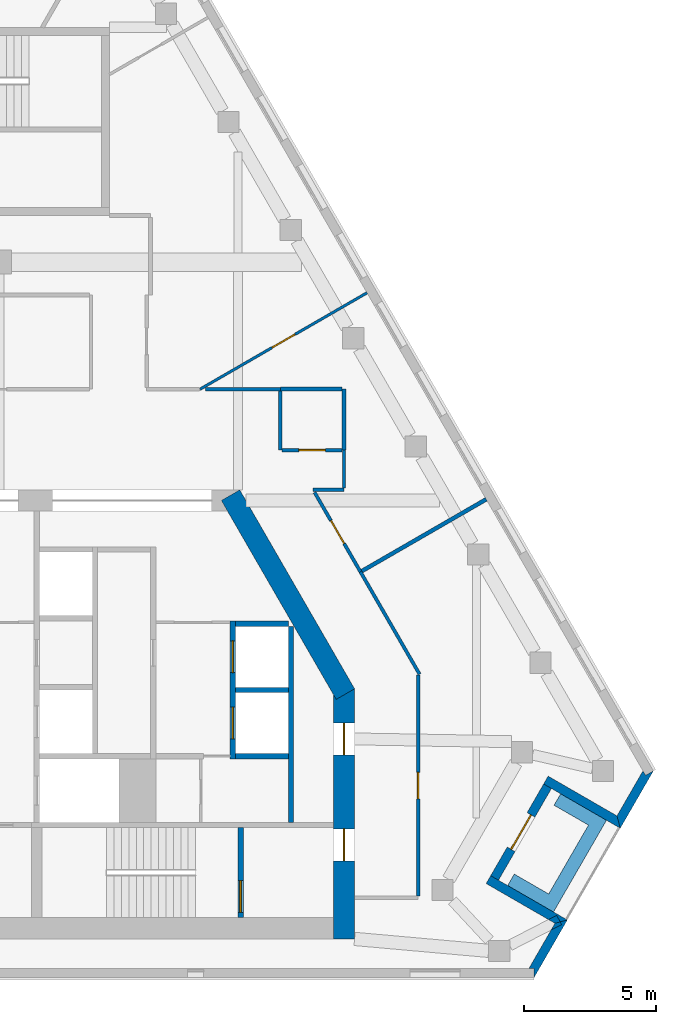
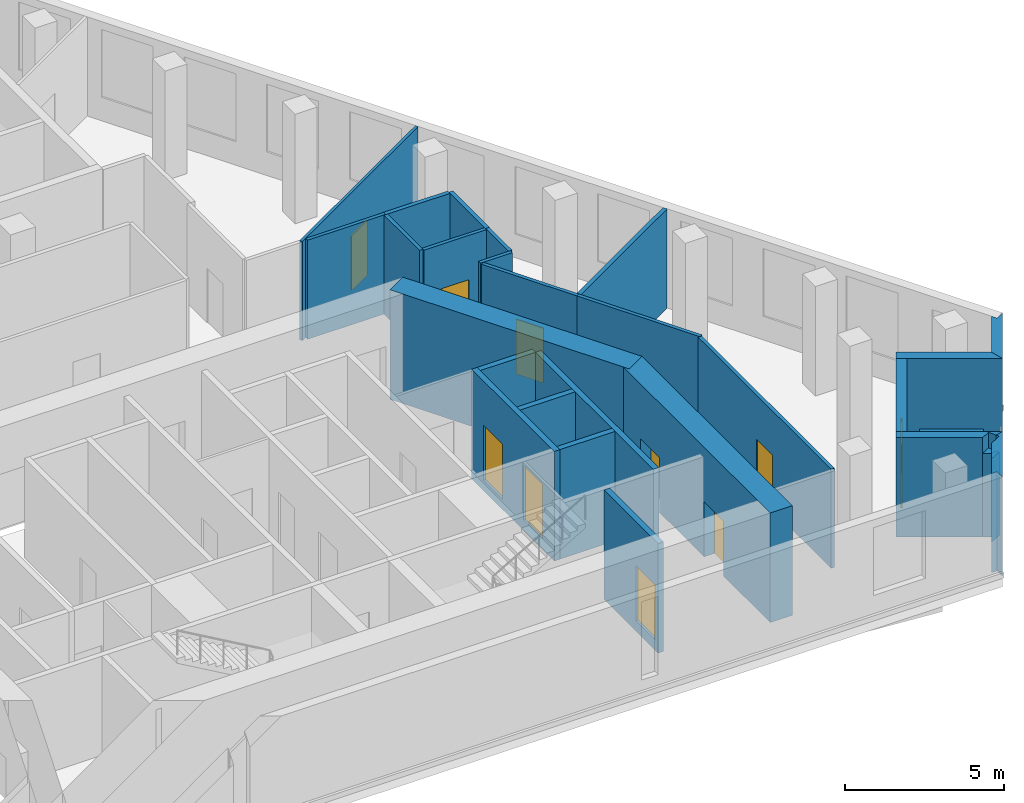
# One storey, part 5 of 8: 28 walls, 10 doors, 10 openings.
"""IFC4 building model written with IfcOpenShell, lengths in metres."""

from ifc_helpers import new_model, si_unit, direction, frame, frame_2d, origin, place, context, subcontext, project, spatial, polyline, rectangle, outline, extrude, material, layer, layer_set, type_object, element, fill, save


model = new_model("IFC4")

# Units and contexts
model_context = context("Model", 3, precision=1e-05, world=origin(), true_north=direction((0.0, 1.0)))
body_context = subcontext(model_context, "Body", "Model", "MODEL_VIEW")
ifc_project = project(units=[si_unit("LENGTHUNIT", "METRE"), si_unit("AREAUNIT", "SQUARE_METRE"), si_unit("VOLUMEUNIT", "CUBIC_METRE"), si_unit("PLANEANGLEUNIT", "RADIAN"), si_unit("MASSUNIT", "GRAM", prefix="KILO")], contexts=[model_context])

# Site, building, storey
site_placement = place(None, origin())
site = spatial("IfcSite", under=ifc_project, at=site_placement, CompositionType="ELEMENT")
building_placement = place(site_placement, origin())
building = spatial("IfcBuilding", under=site, at=building_placement, Name="Fogline Exchange Tower", CompositionType="ELEMENT")
storey_placement = place(building_placement, frame((0.0, 0.0, 309.89990234375)))
storey = spatial("IfcBuildingStorey", under=building, at=storey_placement, Name="L70", CompositionType="ELEMENT", Elevation=309.89990234375)

# Wall
ifc_material_1 = material(Name="Concrete C40", Category="concrete")
ifc_layer_1 = layer(ifc_material_1, 0.199951171875)
ifc_layer_set_1 = layer_set([ifc_layer_1], Name="CW20")
wall_type_1 = type_object("IfcWallType", Name="CW20", PredefinedType="SOLIDWALL", material=ifc_layer_set_1)
wall_1_placement = place(storey_placement, frame((11.0, 5.85009765625, 0.0), z_axis=(0.0, 0.0, 1.0), x_axis=(0.0, 1.0, 0.0)))
element("IfcWall", 1, at=wall_1_placement, inside=storey, type_object=wall_type_1, Name="Service room wall", PredefinedType="SOLIDWALL", context=body_context, shape_type="SweptSolid", body=[
    extrude(rectangle(XDim=7.39990234375, YDim=0.199951171875, at=frame_2d((3.699951171875, 0.0))), origin(), (0.0, 0.0, 1.0), 3.800048828125),
])

# Wall, opening, door
ifc_layer_2 = layer(ifc_material_1, 0.199951171875)
ifc_layer_set_2 = layer_set([ifc_layer_2], Name="CW20R")
wall_type_2 = type_object("IfcWallType", Name="CW20R", PredefinedType="SOLIDWALL", material=ifc_layer_set_2)
wall_2_placement = place(storey_placement, frame((9.10009765625, 2.25, -0.39990234375), z_axis=(0.0, 0.0, 1.0), x_axis=(0.0, 1.0, 0.0)))
wall_2 = element("IfcWall", 2, at=wall_2_placement, inside=storey, type_object=wall_type_2, Name="Stair enclosure wall", PredefinedType="SOLIDWALL", context=body_context, shape_type="SweptSolid", body=[
    extrude(rectangle(XDim=3.39990234375, YDim=0.199951171875, at=frame_2d((1.699951171875, 0.0))), origin(), (0.0, 0.0, 1.0), 4.199951171875),
])
opening_1_placement = place(wall_2_placement, frame((0.199951171875, 0.0, 0.39990234375)))
opening_1 = element("IfcOpeningElement", 3, at=opening_1_placement, cuts=wall_2, Name="Opening T22-C016", PredefinedType="OPENING", context=body_context, shape_type="SweptSolid", body=[
    extrude(rectangle(XDim=1.199951171875, YDim=2.10009765625, at=frame_2d((0.60009765625, 1.050048828125))), frame((0.0, 0.10986328125, 0.0), z_axis=(0.0, -1.0, 0.0), x_axis=(1.0, 0.0, 0.0)), (0.0, 0.0, 1.0), 0.219970703125),
])
ifc_material_2 = material(Name="Steel and timber fire door", Category="steel")
door_type_1 = type_object("IfcDoorType", Name="D-ST1", OperationType="SINGLE_SWING_LEFT", PredefinedType="DOOR", material=ifc_material_2)
door_1_placement = place(opening_1_placement, origin())
door_1 = element("IfcDoor", 4, at=door_1_placement, inside=storey, type_object=door_type_1, Name="Stair door ST2", OperationType="SINGLE_SWING_LEFT", OverallHeight=2.10009765625, OverallWidth=1.199951171875, PredefinedType="DOOR", context=body_context, shape_type="SweptSolid", body=[
    extrude(rectangle(XDim=1.199951171875, YDim=2.10009765625, at=frame_2d((0.60009765625, 1.050048828125))), frame((0.0, 0.02490234375, 0.0), z_axis=(0.0, -1.0, 0.0), x_axis=(1.0, 0.0, 0.0)), (0.0, 0.0, 1.0), 0.050048828125),
])
fill(opening_1, door_1)

# Wall, openings, doors
ifc_layer_3 = layer(ifc_material_1, 0.199951171875)
ifc_layer_set_3 = layer_set([ifc_layer_3], Name="CW20S")
wall_type_3 = type_object("IfcWallType", Name="CW20S", PredefinedType="SOLIDWALL", material=ifc_layer_set_3)
wall_3_placement = place(storey_placement, frame((8.800048828125, 8.25, -0.39990234375), z_axis=(0.0, 0.0, 1.0), x_axis=(0.0, 1.0, 0.0)))
wall_3 = element("IfcWall", 5, at=wall_3_placement, inside=storey, type_object=wall_type_3, Name="Lift shaft wall", PredefinedType="SOLIDWALL", context=body_context, shape_type="SweptSolid", body=[
    extrude(rectangle(XDim=5.199951171875, YDim=0.199951171875, at=frame_2d((2.60009765625, 0.0))), origin(), (0.0, 0.0, 1.0), 4.199951171875),
])
opening_2_placement = place(wall_3_placement, frame((0.75, 0.0, 0.39990234375)))
opening_2 = element("IfcOpeningElement", 6, at=opening_2_placement, cuts=wall_3, Name="Opening T22-LD02", PredefinedType="OPENING", context=body_context, shape_type="SweptSolid", body=[
    extrude(rectangle(XDim=1.199951171875, YDim=2.10009765625, at=frame_2d((0.60009765625, 1.050048828125))), frame((0.0, 0.10986328125, 0.0), z_axis=(0.0, -1.0, 0.0), x_axis=(1.0, 0.0, 0.0)), (0.0, 0.0, 1.0), 0.219970703125),
])
opening_3_placement = place(wall_3_placement, frame((3.25, 0.0, 0.39990234375)))
opening_3 = element("IfcOpeningElement", 7, at=opening_3_placement, cuts=wall_3, Name="Opening T22-LD03", PredefinedType="OPENING", context=body_context, shape_type="SweptSolid", body=[
    extrude(rectangle(XDim=1.199951171875, YDim=2.10009765625, at=frame_2d((0.60009765625, 1.050048828125))), frame((0.0, 0.10986328125, 0.0), z_axis=(0.0, -1.0, 0.0), x_axis=(1.0, 0.0, 0.0)), (0.0, 0.0, 1.0), 0.219970703125),
])
door_type_2 = type_object("IfcDoorType", Name="LD1", OperationType="SLIDING_TO_LEFT", PredefinedType="DOOR", material=ifc_material_2)
door_2_placement = place(opening_2_placement, origin())
door_2 = element("IfcDoor", 8, at=door_2_placement, inside=storey, type_object=door_type_2, Name="Landing door HR1", OperationType="SLIDING_TO_LEFT", OverallHeight=2.10009765625, OverallWidth=1.199951171875, PredefinedType="DOOR", context=body_context, shape_type="SweptSolid", body=[
    extrude(rectangle(XDim=1.199951171875, YDim=2.10009765625, at=frame_2d((0.60009765625, 1.050048828125))), frame((0.0, 0.02490234375, 0.0), z_axis=(0.0, -1.0, 0.0), x_axis=(1.0, 0.0, 0.0)), (0.0, 0.0, 1.0), 0.050048828125),
])
fill(opening_2, door_2)
door_3_placement = place(opening_3_placement, origin())
door_3 = element("IfcDoor", 9, at=door_3_placement, inside=storey, type_object=door_type_2, Name="Landing door HR2", OperationType="SLIDING_TO_LEFT", OverallHeight=2.10009765625, OverallWidth=1.199951171875, PredefinedType="DOOR", context=body_context, shape_type="SweptSolid", body=[
    extrude(rectangle(XDim=1.199951171875, YDim=2.10009765625, at=frame_2d((0.60009765625, 1.050048828125))), frame((0.0, 0.02490234375, 0.0), z_axis=(0.0, -1.0, 0.0), x_axis=(1.0, 0.0, 0.0)), (0.0, 0.0, 1.0), 0.050048828125),
])
fill(opening_3, door_3)

# Walls
for number, where, z_axis, x_axis, name in (
    (10, (8.89990234375, 8.35009765625, -0.39990234375), (0.0, 0.0, 1.0), (1.0, 0.0, 0.0), "Lift shaft wall"),
    (11, (8.89990234375, 10.85009765625, -0.39990234375), (0.0, 0.0, 1.0), (1.0, 0.0, 0.0), "Lift shaft wall"),
    (12, (8.89990234375, 13.35009765625, -0.39990234375), (0.0, 0.0, 1.0), (1.0, 0.0, 0.0), "Lift shaft wall"),
):
    element("IfcWall", number, at=place(storey_placement, frame(where, z_axis=z_axis, x_axis=x_axis)), inside=storey, type_object=wall_type_3, Name=name, PredefinedType="SOLIDWALL", context=body_context, shape_type="SweptSolid", body=[
        extrude(rectangle(XDim=2.0, YDim=0.199951171875, at=frame_2d((1.0, 0.0))), origin(), (0.0, 0.0, 1.0), 4.199951171875),
    ])
ifc_material_3 = material(Name="Brick masonry", Category="masonry")
ifc_layer_4 = layer(ifc_material_3, 0.340087890625)
ifc_layer_set_4 = layer_set([ifc_layer_4], Name="FW1")
wall_type_4 = type_object("IfcWallType", Name="FW1", PredefinedType="SOLIDWALL", material=ifc_layer_set_4)
wall_4_placement = place(storey_placement, origin())
element("IfcWall", 13, at=wall_4_placement, inside=storey, type_object=wall_type_4, Name="Brick wall L70 SE-c1", PredefinedType="SOLIDWALL", context=body_context, shape_type="SweptSolid", body=[
    extrude(outline(polyline([(20.96484375, 2.041015625), (21.158935546875, 2.093017578125), (21.213134765625, 1.987548828125), (20.81591796875, 1.782958984375), (20.96484375, 2.041015625)])), origin(), (0.0, 0.0, 1.0), 3.2001953125),
])
wall_5_placement = place(storey_placement, origin())
element("IfcWall", 14, at=wall_5_placement, inside=storey, type_object=wall_type_4, Name="Brick wall L70 SE-c1", PredefinedType="SOLIDWALL", context=body_context, shape_type="SweptSolid", body=[
    extrude(outline(polyline([(20.1796875, -0.001220703125), (20.17919921875, -0.0009765625), (20.17919921875, 0.33935546875), (19.982421875, 0.33935546875), (20.81591796875, 1.782958984375), (21.213134765625, 1.987548828125), (21.158935546875, 2.093017578125), (21.4306640625, 2.166015625), (21.430908203125, 2.165771484375), (20.1796875, -0.001220703125)])), origin(), (0.0, 0.0, 1.0), 3.800048828125),
])
wall_6_placement = place(storey_placement, origin())
element("IfcWall", 15, at=wall_6_placement, inside=storey, type_object=wall_type_4, Name="Brick wall L70 SE-s1", PredefinedType="SOLIDWALL", context=body_context, shape_type="SweptSolid", body=[
    extrude(outline(polyline([(20.96533203125, 2.0400390625), (20.71826171875, 2.1826171875), (21.0302734375, 2.343017578125), (21.159423828125, 2.092041015625), (20.96533203125, 2.0400390625)])), origin(), (0.0, 0.0, 1.0), 3.2001953125),
])
wall_7_placement = place(storey_placement, origin())
element("IfcWall", 16, at=wall_7_placement, inside=storey, type_object=wall_type_4, Name="Brick wall L70 SE-s1", PredefinedType="SOLIDWALL", context=body_context, shape_type="SweptSolid", body=[
    extrude(outline(polyline([(18.537109375, 3.8359375), (18.83203125, 3.66552734375), (21.430908203125, 2.1650390625), (21.430908203125, 2.164794921875), (21.159423828125, 2.092041015625), (21.0302734375, 2.343017578125), (20.71826171875, 2.1826171875), (18.366455078125, 3.540283203125), (18.537109375, 3.8359375)])), origin(), (0.0, 0.0, 1.0), 3.800048828125),
])

# Wall, opening, door
wall_8_placement = place(storey_placement, frame((18.6845703125, 3.75, 0.0), z_axis=(0.0, 0.0, 1.0), x_axis=(0.49999894854, 0.866026010844, 0.0)))
wall_8 = element("IfcWall", 17, at=wall_8_placement, inside=storey, type_object=wall_type_4, Name="Brick wall L70 SE-bk", PredefinedType="SOLIDWALL", context=body_context, shape_type="SweptSolid", body=[
    extrude(rectangle(XDim=4.0, YDim=0.340087890625, at=frame_2d((2.0, 0.0))), origin(), (0.0, 0.0, 1.0), 3.800048828125),
])
opening_4_placement = place(wall_8_placement, frame((1.25, 0.0, 0.0)))
opening_4 = element("IfcOpeningElement", 18, at=opening_4_placement, cuts=wall_8, Name="Opening T22-E081", PredefinedType="OPENING", context=body_context, shape_type="SweptSolid", body=[
    extrude(rectangle(XDim=1.5, YDim=2.39990234375, at=frame_2d((0.75, 1.199951171875))), frame((0.0, 0.18017578125, 0.0), z_axis=(0.0, -1.0, 0.0), x_axis=(1.0, 0.0, 0.0)), (0.0, 0.0, 1.0), 0.360107421875),
])
ifc_material_4 = material(Name="Aluminium and glass", Category="aluminium")
door_type_3 = type_object("IfcDoorType", Name="ED4", OperationType="SINGLE_SWING_LEFT", PredefinedType="DOOR", material=ifc_material_4)
door_4_placement = place(opening_4_placement, frame((1.5, 0.0, 0.0), z_axis=(0.0, 0.0, 1.0), x_axis=(-1.0, 0.0, 0.0)))
door_4 = element("IfcDoor", 19, at=door_4_placement, inside=storey, type_object=door_type_3, Name="Balcony door L70 SE", OperationType="DOUBLE_DOOR_SINGLE_SWING", OverallHeight=2.39990234375, OverallWidth=1.5, PredefinedType="DOOR", context=body_context, shape_type="SweptSolid", body=[
    extrude(rectangle(XDim=1.5, YDim=2.39990234375, at=frame_2d((0.75, 1.199951171875))), frame((0.0, 0.02490234375, 0.0), z_axis=(0.0, -1.0, 0.0), x_axis=(1.0, 0.0, 0.0)), (0.0, 0.0, 1.0), 0.050048828125),
])
fill(opening_4, door_4)

# Walls
wall_9_placement = place(storey_placement, origin())
element("IfcWall", 20, at=wall_9_placement, inside=storey, type_object=wall_type_4, Name="Brick wall L70 SE-s2", PredefinedType="SOLIDWALL", context=body_context, shape_type="SweptSolid", body=[
    extrude(outline(polyline([(23.430419921875, 5.628173828125), (20.831298828125, 7.128662109375), (20.536376953125, 7.298828125), (20.70703125, 7.594482421875), (23.305908203125, 6.093994140625), (23.4306640625, 5.62841796875), (23.430419921875, 5.628173828125)])), origin(), (0.0, 0.0, 1.0), 3.800048828125),
])
wall_10_placement = place(storey_placement, origin())
element("IfcWall", 21, at=wall_10_placement, inside=storey, type_object=wall_type_4, Name="Brick wall L70 SE-c2", PredefinedType="SOLIDWALL", context=body_context, shape_type="SweptSolid", body=[
    extrude(outline(polyline([(24.287109375, 7.79541015625), (24.385498046875, 7.625), (24.680419921875, 7.79541015625), (24.680908203125, 7.794921875), (23.4296875, 5.6279296875), (23.429443359375, 5.6279296875), (23.3046875, 6.09375), (24.287109375, 7.79541015625)])), origin(), (0.0, 0.0, 1.0), 3.800048828125),
])
ifc_material_5 = material(Name="Concrete C30", Category="concrete")
ifc_layer_5 = layer(ifc_material_5, 0.199951171875)
ifc_layer_set_5 = layer_set([ifc_layer_5], Name="PL1")
wall_type_5 = type_object("IfcWallType", Name="PL1", PredefinedType="USERDEFINED", material=ifc_layer_set_5)
wall_11_placement = place(storey_placement, origin())
element("IfcWall", 22, at=wall_11_placement, inside=storey, type_object=wall_type_5, Name="PLANTER balcony L70 SE", ObjectType="PLANTER", PredefinedType="USERDEFINED", context=body_context, shape_type="SweptSolid", body=[
    extrude(outline(polyline([(19.177978515625, 3.465087890625), (20.477294921875, 2.715087890625), (20.477294921875, 2.715087890625), (20.91015625, 2.465087890625), (22.66015625, 5.49609375), (22.91015625, 5.92919921875), (21.177978515625, 6.92919921875), (20.927978515625, 6.49609375), (22.227294921875, 5.74609375), (20.727294921875, 3.148193359375), (19.427978515625, 3.898193359375), (19.177978515625, 3.465087890625)])), origin(), (0.0, 0.0, 1.0), 1.10009765625),
])

# Wall, opening, door
ifc_material_6 = material(Name="Plasterboard partition, 2 layers each side on steel studs", Category="steel")
ifc_layer_6 = layer(ifc_material_6, 0.10009765625)
ifc_layer_set_6 = layer_set([ifc_layer_6], Name="PW1")
wall_type_6 = type_object("IfcWallType", Name="PW1", PredefinedType="PARTITIONING", material=ifc_layer_set_6)
wall_12_placement = place(storey_placement, frame((7.56640625, 22.199951171875, 0.0), z_axis=(0.0, 0.0, 1.0), x_axis=(0.866023581503, 0.500003156271, 0.0)))
wall_12 = element("IfcWall", 23, at=wall_12_placement, inside=storey, type_object=wall_type_6, Name="wall-L70-W028", PredefinedType="PARTITIONING", context=body_context, shape_type="SweptSolid", body=[
    extrude(rectangle(XDim=7.27783203125, YDim=0.10009765625, at=frame_2d((3.638916015625, 0.0))), origin(), (0.0, 0.0, 1.0), 3.800048828125),
])
opening_5_placement = place(wall_12_placement, frame((3.138916015625, 0.0, 0.0)))
opening_5 = element("IfcOpeningElement", 24, at=opening_5_placement, cuts=wall_12, Name="Opening T22-D008", PredefinedType="OPENING", context=body_context, shape_type="SweptSolid", body=[
    extrude(rectangle(XDim=1.0, YDim=2.10009765625, at=frame_2d((0.5, 1.050048828125))), frame((0.0, 0.06005859375, 0.0), z_axis=(0.0, -1.0, 0.0), x_axis=(1.0, 0.0, 0.0)), (0.0, 0.0, 1.0), 0.1201171875),
])
ifc_material_7 = material(Name="Timber door leaf with steel frame", Category="steel")
door_type_4 = type_object("IfcDoorType", Name="D1", OperationType="SINGLE_SWING_LEFT", PredefinedType="DOOR", material=ifc_material_7)
door_5_placement = place(opening_5_placement, frame((1.0, 0.0, 0.0), z_axis=(0.0, 0.0, 1.0), x_axis=(-1.0, 0.0, 0.0)))
door_5 = element("IfcDoor", 25, at=door_5_placement, inside=storey, type_object=door_type_4, Name="door-L70-D008", OperationType="SINGLE_SWING_RIGHT", OverallHeight=2.10009765625, OverallWidth=1.0, PredefinedType="DOOR", context=body_context, shape_type="SweptSolid", body=[
    extrude(rectangle(XDim=1.0, YDim=2.10009765625, at=frame_2d((0.5, 1.050048828125))), frame((0.0, 0.02490234375, 0.0), z_axis=(0.0, -1.0, 0.0), x_axis=(1.0, 0.0, 0.0)), (0.0, 0.0, 1.0), 0.050048828125),
])
fill(opening_5, door_5)

ifc_material_8 = material(Name="Plasterboard corridor partition with mineral wool, 2 layers each side")
ifc_layer_7 = layer(ifc_material_8, 0.125)
ifc_layer_set_7 = layer_set([ifc_layer_7], Name="PW2")
wall_type_7 = type_object("IfcWallType", Name="PW2", PredefinedType="PARTITIONING", material=ifc_layer_set_7)
wall_13_placement = place(storey_placement, frame((11.890869140625, 18.305908203125, 0.0), z_axis=(0.0, 0.0, 1.0), x_axis=(0.499980616072, -0.866036594811, 0.0)))
wall_13 = element("IfcWall", 26, at=wall_13_placement, inside=storey, type_object=wall_type_7, Name="wall-L70-W001", PredefinedType="PARTITIONING", context=body_context, shape_type="SweptSolid", body=[
    extrude(rectangle(XDim=3.465576171875, YDim=0.125, at=frame_2d((1.73291015625, 0.0))), origin(), (0.0, 0.0, 1.0), 3.800048828125),
])
opening_6_placement = place(wall_13_placement, frame((1.232666015625, 0.0, 0.0)))
opening_6 = element("IfcOpeningElement", 27, at=opening_6_placement, cuts=wall_13, Name="Opening T22-D001", PredefinedType="OPENING", context=body_context, shape_type="SweptSolid", body=[
    extrude(rectangle(XDim=1.0, YDim=2.10009765625, at=frame_2d((0.5, 1.050048828125))), frame((0.0, 0.072509765625, 0.0), z_axis=(0.0, -1.0, 0.0), x_axis=(1.0, 0.0, 0.0)), (0.0, 0.0, 1.0), 0.14501953125),
])
ifc_material_9 = material(Name="Fire-rated timber door leaf with steel frame", Category="steel")
door_type_5 = type_object("IfcDoorType", Name="D3", OperationType="SINGLE_SWING_LEFT", PredefinedType="DOOR", material=ifc_material_9)
door_6_placement = place(opening_6_placement, origin())
door_6 = element("IfcDoor", 28, at=door_6_placement, inside=storey, type_object=door_type_5, Name="door-L70-D001", OperationType="SINGLE_SWING_LEFT", OverallHeight=2.10009765625, OverallWidth=1.0, PredefinedType="DOOR", context=body_context, shape_type="SweptSolid", body=[
    extrude(rectangle(XDim=1.0, YDim=2.10009765625, at=frame_2d((0.5, 1.050048828125))), frame((0.0, 0.02490234375, 0.0), z_axis=(0.0, -1.0, 0.0), x_axis=(1.0, 0.0, 0.0)), (0.0, 0.0, 1.0), 0.050048828125),
])
fill(opening_6, door_6)

# Wall
wall_14_placement = place(storey_placement, frame((13.62353515625, 15.3046875, 0.0), z_axis=(0.0, 0.0, 1.0), x_axis=(0.499994034198, -0.866028848114, 0.0)))
element("IfcWall", 29, at=wall_14_placement, inside=storey, type_object=wall_type_7, Name="wall-L70-W002", PredefinedType="PARTITIONING", context=body_context, shape_type="SweptSolid", body=[
    extrude(rectangle(XDim=4.46142578125, YDim=0.125, at=frame_2d((2.230712890625, 0.0))), origin(), (0.0, 0.0, 1.0), 3.800048828125),
])

# Wall, opening, door
wall_15_placement = place(storey_placement, frame((15.800048828125, 11.409912109375, 0.0), z_axis=(0.0, 0.0, 1.0), x_axis=(0.0, -1.0, 0.0)))
wall_15 = element("IfcWall", 30, at=wall_15_placement, inside=storey, type_object=wall_type_7, Name="wall-L70-W003", PredefinedType="PARTITIONING", context=body_context, shape_type="SweptSolid", body=[
    extrude(rectangle(XDim=8.347412109375, YDim=0.125, at=frame_2d((4.173828125, 0.0))), origin(), (0.0, 0.0, 1.0), 3.800048828125),
])
opening_7_placement = place(wall_15_placement, frame((3.673583984375, 0.0, 0.0)))
opening_7 = element("IfcOpeningElement", 31, at=opening_7_placement, cuts=wall_15, Name="Opening T22-D002", PredefinedType="OPENING", context=body_context, shape_type="SweptSolid", body=[
    extrude(rectangle(XDim=1.0, YDim=2.10009765625, at=frame_2d((0.5, 1.050048828125))), frame((0.0, 0.072509765625, 0.0), z_axis=(0.0, -1.0, 0.0), x_axis=(1.0, 0.0, 0.0)), (0.0, 0.0, 1.0), 0.14501953125),
])
door_7_placement = place(opening_7_placement, origin())
door_7 = element("IfcDoor", 32, at=door_7_placement, inside=storey, type_object=door_type_5, Name="door-L70-D002", OperationType="SINGLE_SWING_RIGHT", OverallHeight=2.10009765625, OverallWidth=1.0, PredefinedType="DOOR", context=body_context, shape_type="SweptSolid", body=[
    extrude(rectangle(XDim=1.0, YDim=2.10009765625, at=frame_2d((0.5, 1.050048828125))), frame((0.0, 0.02490234375, 0.0), z_axis=(0.0, -1.0, 0.0), x_axis=(1.0, 0.0, 0.0)), (0.0, 0.0, 1.0), 0.050048828125),
])
fill(opening_7, door_7)

# Walls
wall_16_placement = place(storey_placement, frame((7.775146484375, 22.199951171875, 0.0), z_axis=(0.0, 0.0, 1.0), x_axis=(1.0, 0.0, 0.0)))
element("IfcWall", 33, at=wall_16_placement, inside=storey, type_object=wall_type_7, Name="wall-L70-W005", PredefinedType="PARTITIONING", context=body_context, shape_type="SweptSolid", body=[
    extrude(rectangle(XDim=2.824951171875, YDim=0.125, at=frame_2d((1.41259765625, 0.0))), origin(), (0.0, 0.0, 1.0), 3.800048828125),
])
wall_17_placement = place(storey_placement, frame((13.0, 19.89990234375, 0.0), z_axis=(0.0, 0.0, 1.0), x_axis=(0.0, -1.0, 0.0)))
element("IfcWall", 34, at=wall_17_placement, inside=storey, type_object=wall_type_7, Name="wall-L70-W006", PredefinedType="PARTITIONING", context=body_context, shape_type="SweptSolid", body=[
    extrude(rectangle(XDim=1.4375, YDim=0.125, at=frame_2d((0.71875, 0.0))), origin(), (0.0, 0.0, 1.0), 3.800048828125),
])
wall_18_placement = place(storey_placement, frame((13.0, 18.39990234375, 0.0), z_axis=(0.0, 0.0, 1.0), x_axis=(-1.0, 0.0, 0.0)))
element("IfcWall", 35, at=wall_18_placement, inside=storey, type_object=wall_type_7, Name="wall-L70-W007", PredefinedType="PARTITIONING", context=body_context, shape_type="SweptSolid", body=[
    extrude(rectangle(XDim=1.16357421875, YDim=0.125, at=frame_2d((0.581787109375, 0.0))), origin(), (0.0, 0.0, 1.0), 3.800048828125),
])
wall_19_placement = place(storey_placement, frame((10.60009765625, 22.12451171875, 0.0), z_axis=(0.0, 0.0, 1.0), x_axis=(0.0, -1.0, 0.0)))
element("IfcWall", 36, at=wall_19_placement, inside=storey, type_object=wall_type_7, Name="wall-L70-W008", PredefinedType="PARTITIONING", context=body_context, shape_type="SweptSolid", body=[
    extrude(rectangle(XDim=2.224609375, YDim=0.125, at=frame_2d((1.1123046875, 0.0))), origin(), (0.0, 0.0, 1.0), 3.800048828125),
])

# Wall, opening, door
wall_20_placement = place(storey_placement, frame((10.66259765625, 19.89990234375, 0.0), z_axis=(0.0, 0.0, 1.0), x_axis=(1.0, 0.0, 0.0)))
wall_20 = element("IfcWall", 37, at=wall_20_placement, inside=storey, type_object=wall_type_7, Name="wall-L70-W009", PredefinedType="PARTITIONING", context=body_context, shape_type="SweptSolid", body=[
    extrude(rectangle(XDim=2.262451171875, YDim=0.125, at=frame_2d((1.13134765625, 0.0))), origin(), (0.0, 0.0, 1.0), 3.800048828125),
])
opening_8_placement = place(wall_20_placement, frame((0.63134765625, 0.0, 0.0)))
opening_8 = element("IfcOpeningElement", 38, at=opening_8_placement, cuts=wall_20, Name="Opening T22-D003", PredefinedType="OPENING", context=body_context, shape_type="SweptSolid", body=[
    extrude(rectangle(XDim=1.0, YDim=2.10009765625, at=frame_2d((0.5, 1.050048828125))), frame((0.0, 0.072509765625, 0.0), z_axis=(0.0, -1.0, 0.0), x_axis=(1.0, 0.0, 0.0)), (0.0, 0.0, 1.0), 0.14501953125),
])
door_8_placement = place(opening_8_placement, origin())
door_8 = element("IfcDoor", 39, at=door_8_placement, inside=storey, type_object=door_type_5, Name="door-L70-D003", OperationType="SINGLE_SWING_LEFT", OverallHeight=2.10009765625, OverallWidth=1.0, PredefinedType="DOOR", context=body_context, shape_type="SweptSolid", body=[
    extrude(rectangle(XDim=1.0, YDim=2.10009765625, at=frame_2d((0.5, 1.050048828125))), frame((0.0, 0.02490234375, 0.0), z_axis=(0.0, -1.0, 0.0), x_axis=(1.0, 0.0, 0.0)), (0.0, 0.0, 1.0), 0.050048828125),
])
fill(opening_8, door_8)

# Walls
ifc_material_10 = material(Name="Plasterboard demising partition with mineral wool and acoustic board")
ifc_layer_8 = layer(ifc_material_10, 0.14990234375)
ifc_layer_set_8 = layer_set([ifc_layer_8], Name="PW3")
wall_type_8 = type_object("IfcWallType", Name="PW3", PredefinedType="PARTITIONING", material=ifc_layer_set_8)
wall_21_placement = place(storey_placement, frame((13.0, 19.89990234375, 0.0), z_axis=(0.0, 0.0, 1.0), x_axis=(0.0, 1.0, 0.0)))
element("IfcWall", 40, at=wall_21_placement, inside=storey, type_object=wall_type_8, Name="wall-L70-W026", PredefinedType="PARTITIONING", context=body_context, shape_type="SweptSolid", body=[
    extrude(rectangle(XDim=2.300048828125, YDim=0.14990234375, at=frame_2d((1.14990234375, 0.0))), origin(), (0.0, 0.0, 1.0), 3.800048828125),
])
wall_22_placement = place(storey_placement, frame((12.925048828125, 22.199951171875, 0.0), z_axis=(0.0, 0.0, 1.0), x_axis=(-1.0, 0.0, 0.0)))
element("IfcWall", 41, at=wall_22_placement, inside=storey, type_object=wall_type_8, Name="wall-L70-W027", PredefinedType="PARTITIONING", context=body_context, shape_type="SweptSolid", body=[
    extrude(rectangle(XDim=2.324951171875, YDim=0.14990234375, at=frame_2d((1.16259765625, 0.0))), origin(), (0.0, 0.0, 1.0), 3.800048828125),
])
wall_23_placement = place(storey_placement, frame((18.369140625, 18.044677734375, 0.0), z_axis=(0.0, 0.0, 1.0), x_axis=(-0.866024235346, -0.500002023789, 0.0)))
element("IfcWall", 42, at=wall_23_placement, inside=storey, type_object=wall_type_8, Name="wall-L70-W029", PredefinedType="PARTITIONING", context=body_context, shape_type="SweptSolid", body=[
    extrude(rectangle(XDim=5.41748046875, YDim=0.14990234375, at=frame_2d((2.708740234375, 0.0))), origin(), (0.0, 0.0, 1.0), 3.800048828125),
])

# Wall, openings, doors
ifc_material_11 = material(Name="Concrete C50", Category="concrete")
ifc_layer_9 = layer(ifc_material_11, 0.800048828125)
ifc_layer_set_9 = layer_set([ifc_layer_9], Name="SW04")
wall_type_9 = type_object("IfcWallType", Name="SW04", PredefinedType="SHEAR", material=ifc_layer_set_9)
wall_24_placement = place(storey_placement, frame((13.0, 1.449951171875, 0.0), z_axis=(0.0, 0.0, 1.0), x_axis=(0.0, 1.0, 0.0)))
wall_24 = element("IfcWall", 43, at=wall_24_placement, inside=storey, type_object=wall_type_9, Name="L70-W902", PredefinedType="SHEAR", context=body_context, shape_type="SweptSolid", body=[
    extrude(rectangle(XDim=9.44189453125, YDim=0.800048828125, at=frame_2d((4.720947265625, 0.0))), origin(), (0.0, 0.0, 1.0), 4.2001953125),
])
opening_9_placement = place(wall_24_placement, frame((2.949951171875, 0.0, 0.0)))
opening_9 = element("IfcOpeningElement", 44, at=opening_9_placement, cuts=wall_24, Name="Opening T22-C015", PredefinedType="OPENING", context=body_context, shape_type="SweptSolid", body=[
    extrude(rectangle(XDim=1.199951171875, YDim=2.10009765625, at=frame_2d((0.60009765625, 1.050048828125))), frame((0.0, 0.41015625, 0.0), z_axis=(0.0, -1.0, 0.0), x_axis=(1.0, 0.0, 0.0)), (0.0, 0.0, 1.0), 0.820068359375),
])
opening_10_placement = place(wall_24_placement, frame((6.949951171875, 0.0, 0.0)))
opening_10 = element("IfcOpeningElement", 45, at=opening_10_placement, cuts=wall_24, Name="Opening T22-C017", PredefinedType="OPENING", context=body_context, shape_type="SweptSolid", body=[
    extrude(rectangle(XDim=1.199951171875, YDim=2.10009765625, at=frame_2d((0.60009765625, 1.050048828125))), frame((0.0, 0.41015625, 0.0), z_axis=(0.0, -1.0, 0.0), x_axis=(1.0, 0.0, 0.0)), (0.0, 0.0, 1.0), 0.820068359375),
])
door_type_6 = type_object("IfcDoorType", Name="D-FR1", OperationType="SINGLE_SWING_RIGHT", PredefinedType="DOOR", material=ifc_material_2)
door_9_placement = place(opening_9_placement, origin())
door_9 = element("IfcDoor", 46, at=door_9_placement, inside=storey, type_object=door_type_6, Name="Front room door ST2", OperationType="SINGLE_SWING_RIGHT", OverallHeight=2.10009765625, OverallWidth=1.199951171875, PredefinedType="DOOR", context=body_context, shape_type="SweptSolid", body=[
    extrude(rectangle(XDim=1.199951171875, YDim=2.10009765625, at=frame_2d((0.60009765625, 1.050048828125))), frame((0.0, 0.02490234375, 0.0), z_axis=(0.0, -1.0, 0.0), x_axis=(1.0, 0.0, 0.0)), (0.0, 0.0, 1.0), 0.050048828125),
])
fill(opening_9, door_9)
door_type_7 = type_object("IfcDoorType", Name="D-SV1", OperationType="SINGLE_SWING_LEFT", PredefinedType="DOOR", material=ifc_material_2)
door_10_placement = place(opening_10_placement, origin())
door_10 = element("IfcDoor", 47, at=door_10_placement, inside=storey, type_object=door_type_7, Name="Service door E", OperationType="SINGLE_SWING_RIGHT", OverallHeight=2.10009765625, OverallWidth=1.199951171875, PredefinedType="DOOR", context=body_context, shape_type="SweptSolid", body=[
    extrude(rectangle(XDim=1.199951171875, YDim=2.10009765625, at=frame_2d((0.60009765625, 1.050048828125))), frame((0.0, 0.02490234375, 0.0), z_axis=(0.0, -1.0, 0.0), x_axis=(1.0, 0.0, 0.0)), (0.0, 0.0, 1.0), 0.050048828125),
])
fill(opening_10, door_10)

# Wall
wall_25_placement = place(storey_placement, frame((13.0537109375, 10.69189453125, 0.0), z_axis=(0.0, 0.0, 1.0), x_axis=(-0.500015780397, 0.866016292776, 0.0)))
element("IfcWall", 48, at=wall_25_placement, inside=storey, type_object=wall_type_9, Name="L70-W903", PredefinedType="SHEAR", context=body_context, shape_type="SweptSolid", body=[
    extrude(rectangle(XDim=8.669677734375, YDim=0.800048828125, at=frame_2d((4.3349609375, 0.0))), origin(), (0.0, 0.0, 1.0), 4.2001953125),
])

save(model, "model.ifc")
